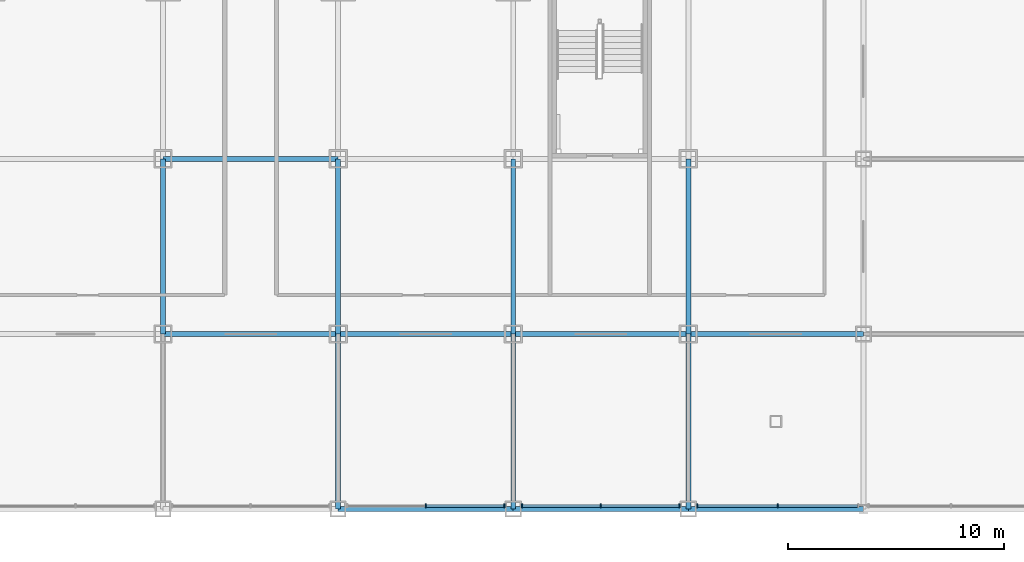
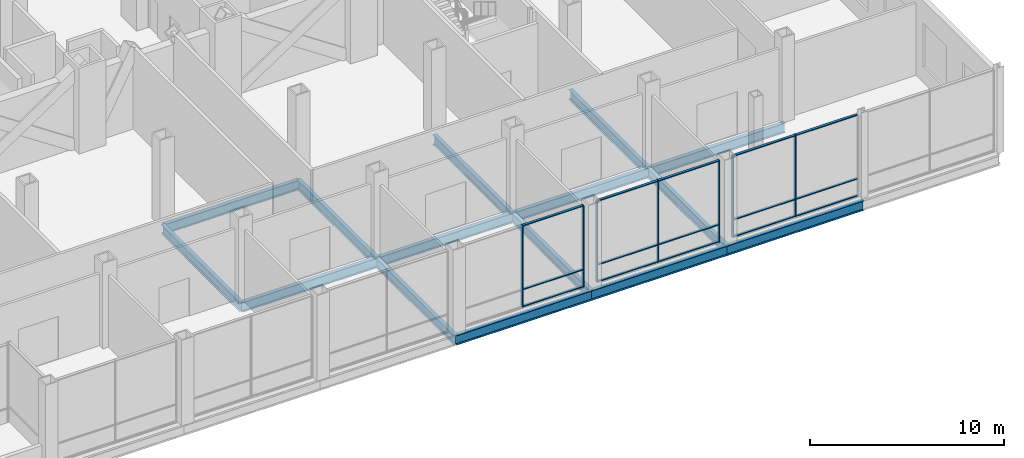
# One storey, part 10 of 26: 22 members, 15 beams, 3 elements without a shape of their own.
"""IFC4 building model written with IfcOpenShell, lengths in metres."""

from ifc_helpers import new_model, si_unit, direction, frame, origin, origin_2d, place, context, subcontext, project, spatial, rectangle, i_section, extrude, material, material_profile, profile_set, type_object, element, aggregate, save


model = new_model("IFC4")

# Units and contexts
model_context = context("Model", 3, precision=1e-05, world=origin(), true_north=direction((0.0, 1.0)))
body_context = subcontext(model_context, "Body", "Model", "MODEL_VIEW")
ifc_project = project(units=[si_unit("LENGTHUNIT", "METRE"), si_unit("AREAUNIT", "SQUARE_METRE"), si_unit("VOLUMEUNIT", "CUBIC_METRE"), si_unit("PLANEANGLEUNIT", "RADIAN"), si_unit("MASSUNIT", "GRAM", prefix="KILO")], contexts=[model_context])

# Site, building, storey
site_placement = place(None, origin())
site = spatial("IfcSite", under=ifc_project, at=site_placement, CompositionType="ELEMENT")
building_placement = place(site_placement, origin())
building = spatial("IfcBuilding", under=site, at=building_placement, Name="Kopane Lantern Tower", CompositionType="ELEMENT")
storey_placement = place(building_placement, frame((0.0, 0.0, 16.800048828125)))
storey = spatial("IfcBuildingStorey", under=building, at=storey_placement, Name="L03", CompositionType="ELEMENT", Elevation=16.800048828125)

# Beams
ifc_material_1 = material(Name="Steel S355JR", Category="steel")
ifc_material_profile_1 = material_profile(ifc_material_1, i_section(OverallWidth=0.22900390625, OverallDepth=0.6123046875, WebThickness=0.011962890625, FlangeThickness=0.01953125, FilletRadius=0.0126953125, at=origin_2d()), Name="UB 610x229x125")
ifc_profile_set_1 = profile_set([ifc_material_profile_1], Name="Steel S355JR")
beam_type = type_object("IfcBeamType", Name="GIRDER UB 610x229x125", PredefinedType="BEAM", material=ifc_profile_set_1)
for number, where, z_axis, x_axis, name in (
    (1, (24.300048828125, 8.10009765625, -0.55615234375), (0.0, 1.0, 0.0), (-1.0, 0.0, 0.0), "Girder L03"),
    (2, (24.300048828125, 8.10009765625, -0.55615234375), (1.0, 0.0, 0.0), (0.0, 1.0, 0.0), "Girder L03"),
    (3, (24.300048828125, 16.199951171875, -0.55615234375), (1.0, 0.0, 0.0), (0.0, 1.0, 0.0), "Girder L03"),
):
    element("IfcBeam", number, at=place(storey_placement, frame(where, z_axis=z_axis, x_axis=x_axis)), inside=storey, type_object=beam_type, Name=name, PredefinedType="BEAM", context=body_context, shape_type="SweptSolid", body=[
        extrude(i_section(OverallWidth=0.22900390625, OverallDepth=0.6123046875, WebThickness=0.011962890625, FlangeThickness=0.01953125, FilletRadius=0.0126953125, at=origin_2d()), origin(), (0.0, 0.0, 1.0), 8.099853515625),
    ])
for number, where, z_axis, x_axis, name in (
    (4, (32.39990234375, 0.0, -0.55615234375), (0.0, 1.0, 0.0), (-1.0, 0.0, 0.0), "Girder L03"),
    (5, (32.39990234375, 0.0, -0.55615234375), (1.0, 0.0, 0.0), (0.0, 1.0, 0.0), "Girder L03"),
):
    element("IfcBeam", number, at=place(storey_placement, frame(where, z_axis=z_axis, x_axis=x_axis)), inside=storey, type_object=beam_type, Name=name, PredefinedType="BEAM", context=body_context, shape_type="SweptSolid", body=[
        extrude(i_section(OverallWidth=0.22900390625, OverallDepth=0.6123046875, WebThickness=0.011962890625, FlangeThickness=0.01953125, FilletRadius=0.0126953125, at=origin_2d()), origin(), (0.0, 0.0, 1.0), 8.10009765625),
    ])
beam_1_placement = place(storey_placement, frame((32.39990234375, 8.10009765625, -0.55615234375), z_axis=(0.0, 1.0, 0.0), x_axis=(-1.0, 0.0, 0.0)))
element("IfcBeam", 6, at=beam_1_placement, inside=storey, type_object=beam_type, Name="Girder L03", PredefinedType="BEAM", context=body_context, shape_type="SweptSolid", body=[
    extrude(i_section(OverallWidth=0.22900390625, OverallDepth=0.6123046875, WebThickness=0.011962890625, FlangeThickness=0.01953125, FilletRadius=0.0126953125, at=origin_2d()), origin(), (0.0, 0.0, 1.0), 8.099853515625),
])
for number, where, z_axis, x_axis, name in (
    (7, (32.39990234375, 8.10009765625, -0.55615234375), (1.0, 0.0, 0.0), (0.0, 1.0, 0.0), "Girder L03"),
    (8, (40.5, 0.0, -0.55615234375), (0.0, 1.0, 0.0), (-1.0, 0.0, 0.0), "Girder L03"),
    (9, (40.5, 0.0, -0.55615234375), (1.0, 0.0, 0.0), (0.0, 1.0, 0.0), "Girder L03"),
):
    element("IfcBeam", number, at=place(storey_placement, frame(where, z_axis=z_axis, x_axis=x_axis)), inside=storey, type_object=beam_type, Name=name, PredefinedType="BEAM", context=body_context, shape_type="SweptSolid", body=[
        extrude(i_section(OverallWidth=0.22900390625, OverallDepth=0.6123046875, WebThickness=0.011962890625, FlangeThickness=0.01953125, FilletRadius=0.0126953125, at=origin_2d()), origin(), (0.0, 0.0, 1.0), 8.10009765625),
    ])
beam_2_placement = place(storey_placement, frame((40.5, 8.10009765625, -0.55615234375), z_axis=(0.0, 1.0, 0.0), x_axis=(-1.0, 0.0, 0.0)))
element("IfcBeam", 10, at=beam_2_placement, inside=storey, type_object=beam_type, Name="Girder L03", PredefinedType="BEAM", context=body_context, shape_type="SweptSolid", body=[
    extrude(i_section(OverallWidth=0.22900390625, OverallDepth=0.6123046875, WebThickness=0.011962890625, FlangeThickness=0.01953125, FilletRadius=0.0126953125, at=origin_2d()), origin(), (0.0, 0.0, 1.0), 8.099853515625),
])
for number, where, z_axis, x_axis, name in (
    (11, (40.5, 8.10009765625, -0.55615234375), (1.0, 0.0, 0.0), (0.0, 1.0, 0.0), "Girder L03"),
    (12, (48.60009765625, 0.0, -0.55615234375), (0.0, 1.0, 0.0), (-1.0, 0.0, 0.0), "Girder L03"),
):
    element("IfcBeam", number, at=place(storey_placement, frame(where, z_axis=z_axis, x_axis=x_axis)), inside=storey, type_object=beam_type, Name=name, PredefinedType="BEAM", context=body_context, shape_type="SweptSolid", body=[
        extrude(i_section(OverallWidth=0.22900390625, OverallDepth=0.6123046875, WebThickness=0.011962890625, FlangeThickness=0.01953125, FilletRadius=0.0126953125, at=origin_2d()), origin(), (0.0, 0.0, 1.0), 8.10009765625),
    ])
for number, where, z_axis, x_axis, name in (
    (13, (48.60009765625, 0.0, -0.55615234375), (1.0, 0.0, 0.0), (0.0, 1.0, 0.0), "Girder L03"),
    (14, (48.60009765625, 8.10009765625, -0.55615234375), (0.0, 1.0, 0.0), (-1.0, 0.0, 0.0), "Girder L03"),
    (15, (48.60009765625, 8.10009765625, -0.55615234375), (1.0, 0.0, 0.0), (0.0, 1.0, 0.0), "Girder L03"),
):
    element("IfcBeam", number, at=place(storey_placement, frame(where, z_axis=z_axis, x_axis=x_axis)), inside=storey, type_object=beam_type, Name=name, PredefinedType="BEAM", context=body_context, shape_type="SweptSolid", body=[
        extrude(i_section(OverallWidth=0.22900390625, OverallDepth=0.6123046875, WebThickness=0.011962890625, FlangeThickness=0.01953125, FilletRadius=0.0126953125, at=origin_2d()), origin(), (0.0, 0.0, 1.0), 8.099853515625),
    ])

# Curtain wall, members
ifc_material_2 = material(Name="Aluminium and clear glass", Category="aluminium")
curtain_wall_type = type_object("IfcCurtainWallType", Name="CURTAIN WALL CW2 PODIUM UPPER", PredefinedType="USERDEFINED", material=ifc_material_2)
curtain_wall_1_placement = place(storey_placement, origin())
curtain_wall_1 = element("IfcCurtainWall", 16, at=curtain_wall_1_placement, inside=storey, type_object=curtain_wall_type, Name="Curtain wall CW2 S L03", ObjectType="CURTAIN WALL", PredefinedType="USERDEFINED")
ifc_material_3 = material(Name="Aluminium", Category="aluminium")
ifc_material_profile_2 = material_profile(ifc_material_3, rectangle(XDim=0.06005859375, YDim=0.179931640625, at=origin_2d()), Name="AL 60x180")
ifc_profile_set_2 = profile_set([ifc_material_profile_2], Name="Aluminium")
member_type_1 = type_object("IfcMemberType", Name="MULLION CW2-M 60x180", PredefinedType="MULLION", material=ifc_profile_set_2)
member_1_placement = place(storey_placement, frame((36.449951171875, 0.14990234375, 0.0), z_axis=(0.0, 0.0, 1.0), x_axis=(1.0, 0.0, 0.0)))
member_1 = element("IfcMember", 17, at=member_1_placement, type_object=member_type_1, Name="CW2 mullion 2", PredefinedType="MULLION", context=body_context, shape_type="SweptSolid", body=[
    extrude(rectangle(XDim=0.06005859375, YDim=0.179931640625, at=origin_2d()), origin(), (0.0, 0.0, 1.0), 5.14990234375),
])
member_2_placement = place(storey_placement, frame((40.090087890625, 0.14990234375, 0.0), z_axis=(0.0, 0.0, 1.0), x_axis=(1.0, 0.0, 0.0)))
member_2 = element("IfcMember", 18, at=member_2_placement, type_object=member_type_1, Name="CW2 mullion 3", PredefinedType="MULLION", context=body_context, shape_type="SweptSolid", body=[
    extrude(rectangle(XDim=0.06005859375, YDim=0.179931640625, at=origin_2d()), origin(), (0.0, 0.0, 1.0), 5.14990234375),
])

curtain_wall_2_placement = place(storey_placement, origin())
curtain_wall_2 = element("IfcCurtainWall", 19, at=curtain_wall_2_placement, inside=storey, type_object=curtain_wall_type, Name="Curtain wall CW2 S L03", ObjectType="CURTAIN WALL", PredefinedType="USERDEFINED")
member_3_placement = place(storey_placement, frame((40.909912109375, 0.14990234375, 0.0), z_axis=(0.0, 0.0, 1.0), x_axis=(1.0, 0.0, 0.0)))
member_3 = element("IfcMember", 20, at=member_3_placement, type_object=member_type_1, Name="CW2 mullion 1", PredefinedType="MULLION", context=body_context, shape_type="SweptSolid", body=[
    extrude(rectangle(XDim=0.06005859375, YDim=0.179931640625, at=origin_2d()), origin(), (0.0, 0.0, 1.0), 5.14990234375),
])
member_4_placement = place(storey_placement, frame((44.550048828125, 0.14990234375, 0.0), z_axis=(0.0, 0.0, 1.0), x_axis=(1.0, 0.0, 0.0)))
member_4 = element("IfcMember", 21, at=member_4_placement, type_object=member_type_1, Name="CW2 mullion 2", PredefinedType="MULLION", context=body_context, shape_type="SweptSolid", body=[
    extrude(rectangle(XDim=0.06005859375, YDim=0.179931640625, at=origin_2d()), origin(), (0.0, 0.0, 1.0), 5.14990234375),
])
member_5_placement = place(storey_placement, frame((48.18994140625, 0.14990234375, 0.0), z_axis=(0.0, 0.0, 1.0), x_axis=(1.0, 0.0, 0.0)))
member_5 = element("IfcMember", 22, at=member_5_placement, type_object=member_type_1, Name="CW2 mullion 3", PredefinedType="MULLION", context=body_context, shape_type="SweptSolid", body=[
    extrude(rectangle(XDim=0.06005859375, YDim=0.179931640625, at=origin_2d()), origin(), (0.0, 0.0, 1.0), 5.14990234375),
])

curtain_wall_3_placement = place(storey_placement, origin())
curtain_wall_3 = element("IfcCurtainWall", 23, at=curtain_wall_3_placement, inside=storey, type_object=curtain_wall_type, Name="Curtain wall CW2 S L03", ObjectType="CURTAIN WALL", PredefinedType="USERDEFINED")
member_6_placement = place(storey_placement, frame((49.010009765625, 0.14990234375, 0.0), z_axis=(0.0, 0.0, 1.0), x_axis=(1.0, 0.0, 0.0)))
member_6 = element("IfcMember", 24, at=member_6_placement, type_object=member_type_1, Name="CW2 mullion 1", PredefinedType="MULLION", context=body_context, shape_type="SweptSolid", body=[
    extrude(rectangle(XDim=0.06005859375, YDim=0.179931640625, at=origin_2d()), origin(), (0.0, 0.0, 1.0), 5.14990234375),
])
member_7_placement = place(storey_placement, frame((52.73681640625, 0.14990234375, 0.0), z_axis=(0.0, 0.0, 1.0), x_axis=(1.0, 0.0, 0.0)))
member_7 = element("IfcMember", 25, at=member_7_placement, type_object=member_type_1, Name="CW2 mullion 2", PredefinedType="MULLION", context=body_context, shape_type="SweptSolid", body=[
    extrude(rectangle(XDim=0.06005859375, YDim=0.179931640625, at=origin_2d()), origin(), (0.0, 0.0, 1.0), 5.14990234375),
])

# Member
ifc_material_4 = material(Name="Aluminium", Category="aluminium")
ifc_material_profile_3 = material_profile(ifc_material_4, rectangle(XDim=0.139892578125, YDim=0.06005859375, at=origin_2d()), Name="AL 140x60")
ifc_profile_set_3 = profile_set([ifc_material_profile_3], Name="Aluminium")
member_type_2 = type_object("IfcMemberType", Name="TRANSOM CW2-T 60x140", PredefinedType="USERDEFINED", material=ifc_profile_set_3)
member_8_placement = place(storey_placement, frame((36.47998046875, 0.14990234375, 0.030029296875), z_axis=(1.0, 0.0, 0.0), x_axis=(0.0, 1.0, 0.0)))
member_8 = element("IfcMember", 26, at=member_8_placement, type_object=member_type_2, Name="CW2 transom 2.1", ObjectType="TRANSOM", PredefinedType="USERDEFINED", context=body_context, shape_type="SweptSolid", body=[
    extrude(rectangle(XDim=0.139892578125, YDim=0.06005859375, at=origin_2d()), origin(), (0.0, 0.0, 1.0), 3.580078125),
])

member_9_placement = place(storey_placement, frame((36.47998046875, 0.14990234375, 1.099853515625), z_axis=(1.0, 0.0, 0.0), x_axis=(0.0, 1.0, 0.0)))
member_9 = element("IfcMember", 27, at=member_9_placement, type_object=member_type_2, Name="CW2 transom 2.2", ObjectType="TRANSOM", PredefinedType="USERDEFINED", context=body_context, shape_type="SweptSolid", body=[
    extrude(rectangle(XDim=0.139892578125, YDim=0.06005859375, at=origin_2d()), origin(), (0.0, 0.0, 1.0), 3.580078125),
])

member_10_placement = place(storey_placement, frame((36.47998046875, 0.14990234375, 5.119873046875), z_axis=(1.0, 0.0, 0.0), x_axis=(0.0, 1.0, 0.0)))
member_10 = element("IfcMember", 28, at=member_10_placement, type_object=member_type_2, Name="CW2 transom 2.3", ObjectType="TRANSOM", PredefinedType="USERDEFINED", context=body_context, shape_type="SweptSolid", body=[
    extrude(rectangle(XDim=0.139892578125, YDim=0.06005859375, at=origin_2d()), origin(), (0.0, 0.0, 1.0), 3.580078125),
])

aggregate(curtain_wall_1, [member_1, member_2, member_8, member_9, member_10])

member_11_placement = place(storey_placement, frame((40.93994140625, 0.14990234375, 0.030029296875), z_axis=(1.0, 0.0, 0.0), x_axis=(0.0, 1.0, 0.0)))
member_11 = element("IfcMember", 29, at=member_11_placement, type_object=member_type_2, Name="CW2 transom 1.1", ObjectType="TRANSOM", PredefinedType="USERDEFINED", context=body_context, shape_type="SweptSolid", body=[
    extrude(rectangle(XDim=0.139892578125, YDim=0.06005859375, at=origin_2d()), origin(), (0.0, 0.0, 1.0), 3.580078125),
])

member_12_placement = place(storey_placement, frame((40.93994140625, 0.14990234375, 1.099853515625), z_axis=(1.0, 0.0, 0.0), x_axis=(0.0, 1.0, 0.0)))
member_12 = element("IfcMember", 30, at=member_12_placement, type_object=member_type_2, Name="CW2 transom 1.2", ObjectType="TRANSOM", PredefinedType="USERDEFINED", context=body_context, shape_type="SweptSolid", body=[
    extrude(rectangle(XDim=0.139892578125, YDim=0.06005859375, at=origin_2d()), origin(), (0.0, 0.0, 1.0), 3.580078125),
])

member_13_placement = place(storey_placement, frame((40.93994140625, 0.14990234375, 5.119873046875), z_axis=(1.0, 0.0, 0.0), x_axis=(0.0, 1.0, 0.0)))
member_13 = element("IfcMember", 31, at=member_13_placement, type_object=member_type_2, Name="CW2 transom 1.3", ObjectType="TRANSOM", PredefinedType="USERDEFINED", context=body_context, shape_type="SweptSolid", body=[
    extrude(rectangle(XDim=0.139892578125, YDim=0.06005859375, at=origin_2d()), origin(), (0.0, 0.0, 1.0), 3.580078125),
])

member_14_placement = place(storey_placement, frame((44.580078125, 0.14990234375, 0.030029296875), z_axis=(1.0, 0.0, 0.0), x_axis=(0.0, 1.0, 0.0)))
member_14 = element("IfcMember", 32, at=member_14_placement, type_object=member_type_2, Name="CW2 transom 2.1", ObjectType="TRANSOM", PredefinedType="USERDEFINED", context=body_context, shape_type="SweptSolid", body=[
    extrude(rectangle(XDim=0.139892578125, YDim=0.06005859375, at=origin_2d()), origin(), (0.0, 0.0, 1.0), 3.579833984375),
])

member_15_placement = place(storey_placement, frame((44.580078125, 0.14990234375, 1.099853515625), z_axis=(1.0, 0.0, 0.0), x_axis=(0.0, 1.0, 0.0)))
member_15 = element("IfcMember", 33, at=member_15_placement, type_object=member_type_2, Name="CW2 transom 2.2", ObjectType="TRANSOM", PredefinedType="USERDEFINED", context=body_context, shape_type="SweptSolid", body=[
    extrude(rectangle(XDim=0.139892578125, YDim=0.06005859375, at=origin_2d()), origin(), (0.0, 0.0, 1.0), 3.579833984375),
])

member_16_placement = place(storey_placement, frame((44.580078125, 0.14990234375, 5.119873046875), z_axis=(1.0, 0.0, 0.0), x_axis=(0.0, 1.0, 0.0)))
member_16 = element("IfcMember", 34, at=member_16_placement, type_object=member_type_2, Name="CW2 transom 2.3", ObjectType="TRANSOM", PredefinedType="USERDEFINED", context=body_context, shape_type="SweptSolid", body=[
    extrude(rectangle(XDim=0.139892578125, YDim=0.06005859375, at=origin_2d()), origin(), (0.0, 0.0, 1.0), 3.579833984375),
])

aggregate(curtain_wall_2, [member_3, member_4, member_5, member_11, member_12, member_13, member_14, member_15, member_16])

member_17_placement = place(storey_placement, frame((49.0400390625, 0.14990234375, 0.030029296875), z_axis=(1.0, 0.0, 0.0), x_axis=(0.0, 1.0, 0.0)))
member_17 = element("IfcMember", 35, at=member_17_placement, type_object=member_type_2, Name="CW2 transom 1.1", ObjectType="TRANSOM", PredefinedType="USERDEFINED", context=body_context, shape_type="SweptSolid", body=[
    extrude(rectangle(XDim=0.139892578125, YDim=0.06005859375, at=origin_2d()), origin(), (0.0, 0.0, 1.0), 3.666748046875),
])

member_18_placement = place(storey_placement, frame((49.0400390625, 0.14990234375, 1.099853515625), z_axis=(1.0, 0.0, 0.0), x_axis=(0.0, 1.0, 0.0)))
member_18 = element("IfcMember", 36, at=member_18_placement, type_object=member_type_2, Name="CW2 transom 1.2", ObjectType="TRANSOM", PredefinedType="USERDEFINED", context=body_context, shape_type="SweptSolid", body=[
    extrude(rectangle(XDim=0.139892578125, YDim=0.06005859375, at=origin_2d()), origin(), (0.0, 0.0, 1.0), 3.666748046875),
])

member_19_placement = place(storey_placement, frame((49.0400390625, 0.14990234375, 5.119873046875), z_axis=(1.0, 0.0, 0.0), x_axis=(0.0, 1.0, 0.0)))
member_19 = element("IfcMember", 37, at=member_19_placement, type_object=member_type_2, Name="CW2 transom 1.3", ObjectType="TRANSOM", PredefinedType="USERDEFINED", context=body_context, shape_type="SweptSolid", body=[
    extrude(rectangle(XDim=0.139892578125, YDim=0.06005859375, at=origin_2d()), origin(), (0.0, 0.0, 1.0), 3.666748046875),
])

member_20_placement = place(storey_placement, frame((52.766845703125, 0.14990234375, 0.030029296875), z_axis=(1.0, 0.0, 0.0), x_axis=(0.0, 1.0, 0.0)))
member_20 = element("IfcMember", 38, at=member_20_placement, type_object=member_type_2, Name="CW2 transom 2.1", ObjectType="TRANSOM", PredefinedType="USERDEFINED", context=body_context, shape_type="SweptSolid", body=[
    extrude(rectangle(XDim=0.139892578125, YDim=0.06005859375, at=origin_2d()), origin(), (0.0, 0.0, 1.0), 3.666748046875),
])

member_21_placement = place(storey_placement, frame((52.766845703125, 0.14990234375, 1.099853515625), z_axis=(1.0, 0.0, 0.0), x_axis=(0.0, 1.0, 0.0)))
member_21 = element("IfcMember", 39, at=member_21_placement, type_object=member_type_2, Name="CW2 transom 2.2", ObjectType="TRANSOM", PredefinedType="USERDEFINED", context=body_context, shape_type="SweptSolid", body=[
    extrude(rectangle(XDim=0.139892578125, YDim=0.06005859375, at=origin_2d()), origin(), (0.0, 0.0, 1.0), 3.666748046875),
])

member_22_placement = place(storey_placement, frame((52.766845703125, 0.14990234375, 5.119873046875), z_axis=(1.0, 0.0, 0.0), x_axis=(0.0, 1.0, 0.0)))
member_22 = element("IfcMember", 40, at=member_22_placement, type_object=member_type_2, Name="CW2 transom 2.3", ObjectType="TRANSOM", PredefinedType="USERDEFINED", context=body_context, shape_type="SweptSolid", body=[
    extrude(rectangle(XDim=0.139892578125, YDim=0.06005859375, at=origin_2d()), origin(), (0.0, 0.0, 1.0), 3.666748046875),
])

aggregate(curtain_wall_3, [member_6, member_7, member_17, member_18, member_19, member_20, member_21, member_22])

save(model, "model.ifc")
